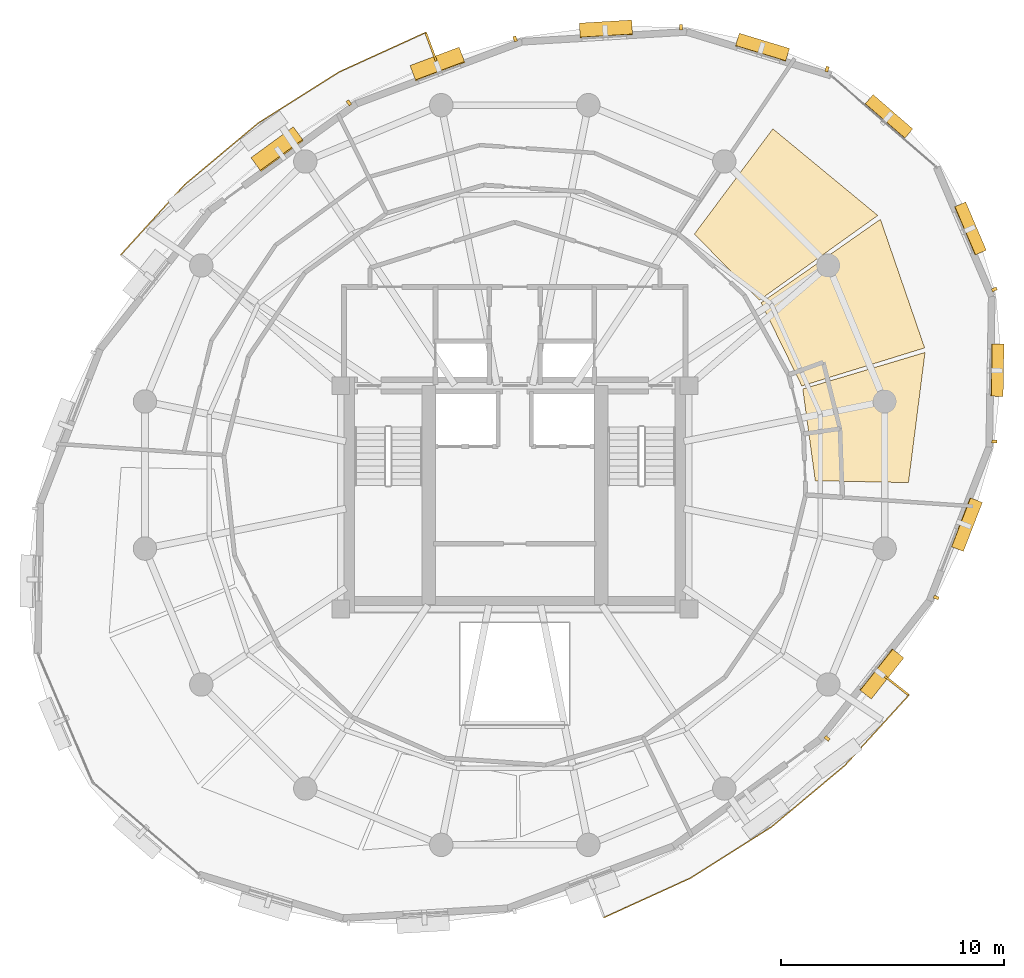
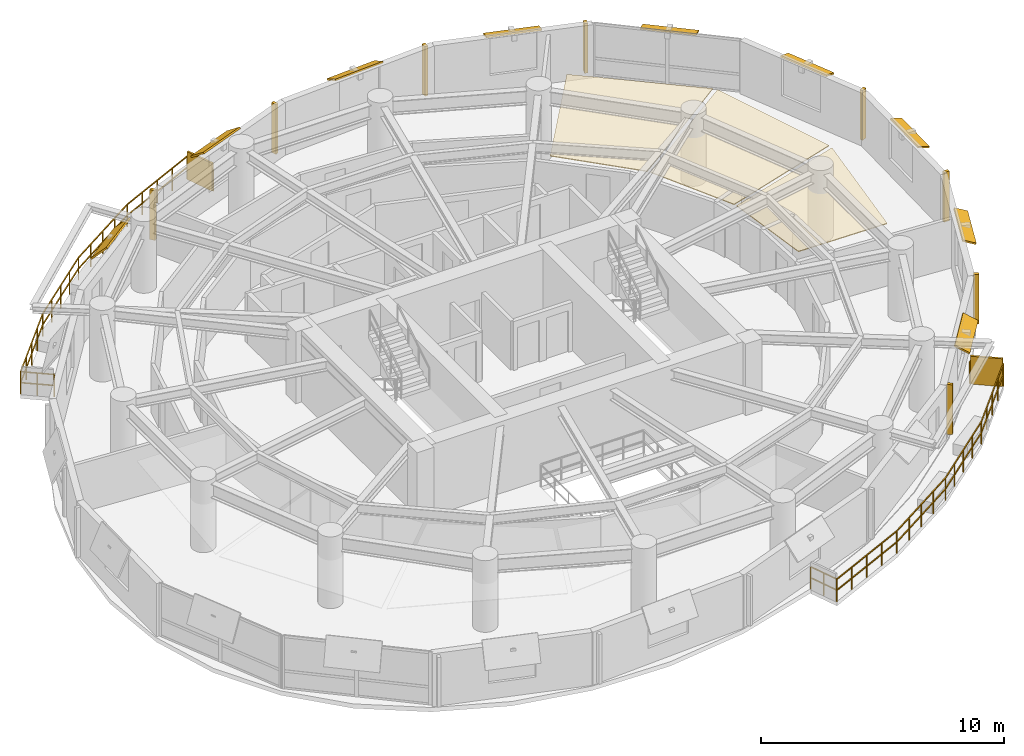
# One storey, part 12 of 12: 19 shading devices, 3 coverings, 2 railings.
"""IFC4 building model written with IfcOpenShell, lengths in metres."""

from ifc_helpers import new_model, si_unit, direction, frame, origin, origin_2d, place, context, subcontext, project, spatial, polyline, rectangle, outline, extrude, material, layer, layer_set, type_object, element, save


model = new_model("IFC4")

# Units and contexts
model_context = context("Model", 3, precision=1e-05, world=origin(), true_north=direction((0.0, 1.0)))
body_context = subcontext(model_context, "Body", "Model", "MODEL_VIEW")
ifc_project = project(units=[si_unit("LENGTHUNIT", "METRE"), si_unit("AREAUNIT", "SQUARE_METRE"), si_unit("VOLUMEUNIT", "CUBIC_METRE"), si_unit("PLANEANGLEUNIT", "RADIAN"), si_unit("MASSUNIT", "GRAM", prefix="KILO"), si_unit("THERMODYNAMICTEMPERATUREUNIT", "KELVIN"), si_unit("POWERUNIT", "WATT")], contexts=[model_context])

# Site, building, storey
site_placement = place(None, origin())
site = spatial("IfcSite", under=ifc_project, at=site_placement, CompositionType="ELEMENT")
building_placement = place(site_placement, origin())
building = spatial("IfcBuilding", under=site, at=building_placement, Name="Ocrelia Relay Tower", CompositionType="ELEMENT")
storey_placement = place(building_placement, frame((0.0, 0.0, 184.39990234375)))
storey = spatial("IfcBuildingStorey", under=building, at=storey_placement, Name="L44", CompositionType="ELEMENT", Elevation=184.39990234375)

# Coverings
ifc_material_1 = material(Name="Mineral-fiber acoustic ceiling tile", Category="gypsum")
ifc_layer_1 = layer(ifc_material_1, 0.0400390625, Name="Mineral-fiber acoustic ceiling tile")
ifc_layer_set_1 = layer_set([ifc_layer_1], Name="Mineral-fiber acoustic ceiling tile")
covering_type = type_object("IfcCoveringType", Name="COV-CEIL-ACOUSTIC", PredefinedType="CEILING", material=ifc_layer_set_1)
covering_1_placement = place(storey_placement, frame((0.0, 0.0, 2.380126953125)))
element("IfcCovering", 1, at=covering_1_placement, inside=storey, type_object=covering_type, Name="L44 Technical Reference Library Suspended Ceiling 1", PredefinedType="CEILING", context=body_context, shape_type="SweptSolid", body=[
    extrude(outline(polyline([(47.467529296875, 25.741455078125), (51.644775390625, 25.6611328125), (52.385498046875, 31.49267578125), (46.906494140625, 29.855712890625), (47.467529296875, 25.741455078125)])), origin(), (0.0, 0.0, 1.0), 0.0400390625),
])
covering_2_placement = place(storey_placement, frame((0.0, 0.0, 2.380126953125)))
element("IfcCovering", 2, at=covering_2_placement, inside=storey, type_object=covering_type, Name="L44 Technical Reference Library Suspended Ceiling 2", PredefinedType="CEILING", context=body_context, shape_type="SweptSolid", body=[
    extrude(outline(polyline([(46.865234375, 29.99072265625), (52.36962890625, 31.697998046875), (50.38720703125, 37.460205078125), (45.03857421875, 33.7197265625), (46.865234375, 29.99072265625)])), origin(), (0.0, 0.0, 1.0), 0.0400390625),
])
covering_3_placement = place(storey_placement, frame((0.0, 0.0, 2.380126953125)))
element("IfcCovering", 3, at=covering_3_placement, inside=storey, type_object=covering_type, Name="L44 Technical Reference Library Suspended Ceiling 3", PredefinedType="CEILING", context=body_context, shape_type="SweptSolid", body=[
    extrude(outline(polyline([(44.95703125, 33.834716796875), (50.268310546875, 37.632568359375), (45.565673828125, 41.5166015625), (42.050048828125, 36.7998046875), (44.95703125, 33.834716796875)])), origin(), (0.0, 0.0, 1.0), 0.0400390625),
])

# Railings
ifc_material_2 = material(Name="Steel S355 balustrade", Category="steel")
railing_type = type_object("IfcRailingType", Name="RL-EXT-GUARD-1150", PredefinedType="GUARDRAIL", material=ifc_material_2)
railing_1_placement = place(storey_placement, frame((17.433349609375, 35.00537109375, 0.0)))
element("IfcRailing", 4, at=railing_1_placement, inside=storey, type_object=railing_type, Name="L44 Loggia Balcony Guard Rail B1", PredefinedType="GUARDRAIL", context=body_context, shape_type="SweptSolid", body=[
    extrude(rectangle(XDim=0.048095703125, YDim=0.048095703125, at=origin_2d()), frame((0.0, 0.0, 1.1259765625), z_axis=(-0.785259336587, 0.619167000334, 0.0), x_axis=(-0.619167000334, -0.785259336587, 0.0)), (0.0, 0.0, 1.0), 1.3935546875),
    extrude(rectangle(XDim=0.048095703125, YDim=0.048095703125, at=origin_2d()), frame((0.0, 0.0, 0.574951171875), z_axis=(-0.785259336587, 0.619167000334, 0.0), x_axis=(-0.619167000334, -0.785259336587, 0.0)), (0.0, 0.0, 1.0), 1.3935546875),
    extrude(rectangle(XDim=0.048095703125, YDim=0.048095703125, at=origin_2d()), frame((-1.09423828125, 0.86279296875, 1.1259765625), z_axis=(0.672787076551, 0.739836164043, 0.0), x_axis=(-0.739836164043, 0.672787076551, 0.0)), (0.0, 0.0, 1.0), 2.12646484375),
    extrude(rectangle(XDim=0.048095703125, YDim=0.048095703125, at=origin_2d()), frame((-1.09423828125, 0.86279296875, 0.574951171875), z_axis=(0.672787076551, 0.739836164043, 0.0), x_axis=(-0.739836164043, 0.672787076551, 0.0)), (0.0, 0.0, 1.0), 2.12646484375),
    extrude(rectangle(XDim=0.048095703125, YDim=0.048095703125, at=origin_2d()), frame((0.33642578125, 2.43603515625, 1.1259765625), z_axis=(0.672849911435, 0.739779018817, 0.0), x_axis=(-0.739779018817, 0.672849911435, 0.0)), (0.0, 0.0, 1.0), 2.126708984375),
    extrude(rectangle(XDim=0.048095703125, YDim=0.048095703125, at=origin_2d()), frame((0.33642578125, 2.43603515625, 0.574951171875), z_axis=(0.672849911435, 0.739779018817, 0.0), x_axis=(-0.739779018817, 0.672849911435, 0.0)), (0.0, 0.0, 1.0), 2.126708984375),
    extrude(rectangle(XDim=0.048095703125, YDim=0.048095703125, at=origin_2d()), frame((1.767333984375, 4.00927734375, 1.1259765625), z_axis=(0.766757672993, 0.641936656459, 0.0), x_axis=(-0.641936656459, 0.766757672993, 0.0)), (0.0, 0.0, 1.0), 4.299072265625),
    extrude(rectangle(XDim=0.048095703125, YDim=0.048095703125, at=origin_2d()), frame((1.767333984375, 4.00927734375, 0.574951171875), z_axis=(0.766757672993, 0.641936656459, 0.0), x_axis=(-0.641936656459, 0.766757672993, 0.0)), (0.0, 0.0, 1.0), 4.299072265625),
    extrude(rectangle(XDim=0.048095703125, YDim=0.048095703125, at=origin_2d()), frame((5.063720703125, 6.76904296875, 1.1259765625), z_axis=(0.845596842181, 0.533822049463, 0.0), x_axis=(-0.533822049463, 0.845596842181, 0.0)), (0.0, 0.0, 1.0), 4.299072265625),
    extrude(rectangle(XDim=0.048095703125, YDim=0.048095703125, at=origin_2d()), frame((5.063720703125, 6.76904296875, 0.574951171875), z_axis=(0.845596842181, 0.533822049463, 0.0), x_axis=(-0.533822049463, 0.845596842181, 0.0)), (0.0, 0.0, 1.0), 4.299072265625),
    extrude(rectangle(XDim=0.048095703125, YDim=0.048095703125, at=origin_2d()), frame((8.698974609375, 9.06396484375, 1.1259765625), z_axis=(0.910071366528, 0.414451574766, 0.0), x_axis=(-0.414451574766, 0.910071366528, 0.0)), (0.0, 0.0, 1.0), 2.12646484375),
    extrude(rectangle(XDim=0.048095703125, YDim=0.048095703125, at=origin_2d()), frame((8.698974609375, 9.06396484375, 0.574951171875), z_axis=(0.910071366528, 0.414451574766, 0.0), x_axis=(-0.414451574766, 0.910071366528, 0.0)), (0.0, 0.0, 1.0), 2.12646484375),
    extrude(rectangle(XDim=0.048095703125, YDim=0.048095703125, at=origin_2d()), frame((10.63427734375, 9.9453125, 1.1259765625), z_axis=(0.910028060836, 0.414546654179, 0.0), x_axis=(-0.414546654179, 0.910028060836, 0.0)), (0.0, 0.0, 1.0), 2.126708984375),
    extrude(rectangle(XDim=0.048095703125, YDim=0.048095703125, at=origin_2d()), frame((10.63427734375, 9.9453125, 0.574951171875), z_axis=(0.910028060836, 0.414546654179, 0.0), x_axis=(-0.414546654179, 0.910028060836, 0.0)), (0.0, 0.0, 1.0), 2.126708984375),
    extrude(rectangle(XDim=0.048095703125, YDim=0.048095703125, at=origin_2d()), frame((12.569580078125, 10.826904296875, 1.1259765625), z_axis=(0.349510184502, -0.936932564771, 0.0), x_axis=(0.936932564771, 0.349510184502, 0.0)), (0.0, 0.0, 1.0), 1.3935546875),
    extrude(rectangle(XDim=0.048095703125, YDim=0.048095703125, at=origin_2d()), frame((12.569580078125, 10.826904296875, 0.574951171875), z_axis=(0.349510184502, -0.936932564771, 0.0), x_axis=(0.936932564771, 0.349510184502, 0.0)), (0.0, 0.0, 1.0), 1.3935546875),
    extrude(rectangle(XDim=0.0419921875, YDim=0.0419921875, at=origin_2d()), origin(), (0.0, 0.0, 1.0), 1.101806640625),
    extrude(rectangle(XDim=0.0419921875, YDim=0.0419921875, at=origin_2d()), frame((-0.547119140625, 0.431396484375, 0.0)), (0.0, 0.0, 1.0), 1.101806640625),
    extrude(rectangle(XDim=0.0419921875, YDim=0.0419921875, at=origin_2d()), frame((-1.09423828125, 0.86279296875, 0.0)), (0.0, 0.0, 1.0), 1.101806640625),
    extrude(rectangle(XDim=0.0419921875, YDim=0.0419921875, at=origin_2d()), frame((-0.37890625, 1.6494140625, 0.0)), (0.0, 0.0, 1.0), 1.101806640625),
    extrude(rectangle(XDim=0.0419921875, YDim=0.0419921875, at=origin_2d()), frame((0.33642578125, 2.43603515625, 0.0)), (0.0, 0.0, 1.0), 1.101806640625),
    extrude(rectangle(XDim=0.0419921875, YDim=0.0419921875, at=origin_2d()), frame((1.0517578125, 3.22265625, 0.0)), (0.0, 0.0, 1.0), 1.101806640625),
    extrude(rectangle(XDim=0.0419921875, YDim=0.0419921875, at=origin_2d()), frame((1.767333984375, 4.00927734375, 0.0)), (0.0, 0.0, 1.0), 1.101806640625),
    extrude(rectangle(XDim=0.0419921875, YDim=0.0419921875, at=origin_2d()), frame((2.59130859375, 4.69921875, 0.0)), (0.0, 0.0, 1.0), 1.101806640625),
    extrude(rectangle(XDim=0.0419921875, YDim=0.0419921875, at=origin_2d()), frame((3.41552734375, 5.38916015625, 0.0)), (0.0, 0.0, 1.0), 1.101806640625),
    extrude(rectangle(XDim=0.0419921875, YDim=0.0419921875, at=origin_2d()), frame((4.23974609375, 6.0791015625, 0.0)), (0.0, 0.0, 1.0), 1.101806640625),
    extrude(rectangle(XDim=0.0419921875, YDim=0.0419921875, at=origin_2d()), frame((5.063720703125, 6.76904296875, 0.0)), (0.0, 0.0, 1.0), 1.101806640625),
    extrude(rectangle(XDim=0.0419921875, YDim=0.0419921875, at=origin_2d()), frame((5.97265625, 7.3427734375, 0.0)), (0.0, 0.0, 1.0), 1.101806640625),
    extrude(rectangle(XDim=0.0419921875, YDim=0.0419921875, at=origin_2d()), frame((6.88134765625, 7.91650390625, 0.0)), (0.0, 0.0, 1.0), 1.101806640625),
    extrude(rectangle(XDim=0.0419921875, YDim=0.0419921875, at=origin_2d()), frame((7.7900390625, 8.490234375, 0.0)), (0.0, 0.0, 1.0), 1.101806640625),
    extrude(rectangle(XDim=0.0419921875, YDim=0.0419921875, at=origin_2d()), frame((8.698974609375, 9.06396484375, 0.0)), (0.0, 0.0, 1.0), 1.101806640625),
    extrude(rectangle(XDim=0.0419921875, YDim=0.0419921875, at=origin_2d()), frame((9.66650390625, 9.504638671875, 0.0)), (0.0, 0.0, 1.0), 1.101806640625),
    extrude(rectangle(XDim=0.0419921875, YDim=0.0419921875, at=origin_2d()), frame((10.63427734375, 9.9453125, 0.0)), (0.0, 0.0, 1.0), 1.101806640625),
    extrude(rectangle(XDim=0.0419921875, YDim=0.0419921875, at=origin_2d()), frame((11.60205078125, 10.38623046875, 0.0)), (0.0, 0.0, 1.0), 1.101806640625),
    extrude(rectangle(XDim=0.0419921875, YDim=0.0419921875, at=origin_2d()), frame((12.569580078125, 10.826904296875, 0.0)), (0.0, 0.0, 1.0), 1.101806640625),
    extrude(rectangle(XDim=0.0419921875, YDim=0.0419921875, at=origin_2d()), frame((12.81298828125, 10.174072265625, 0.0)), (0.0, 0.0, 1.0), 1.101806640625),
    extrude(rectangle(XDim=0.0419921875, YDim=0.0419921875, at=origin_2d()), frame((13.056640625, 9.521240234375, 0.0)), (0.0, 0.0, 1.0), 1.101806640625),
])
railing_2_placement = place(storey_placement, frame((50.566650390625, 16.99462890625, 0.0)))
element("IfcRailing", 5, at=railing_2_placement, inside=storey, type_object=railing_type, Name="L44 Loggia Balcony Guard Rail B2", PredefinedType="GUARDRAIL", context=body_context, shape_type="SweptSolid", body=[
    extrude(rectangle(XDim=0.048095703125, YDim=0.048095703125, at=origin_2d()), frame((0.0, 0.0, 1.1259765625), z_axis=(0.785259336587, -0.619167000334, 0.0), x_axis=(0.619167000334, 0.785259336587, 0.0)), (0.0, 0.0, 1.0), 1.3935546875),
    extrude(rectangle(XDim=0.048095703125, YDim=0.048095703125, at=origin_2d()), frame((0.0, 0.0, 0.574951171875), z_axis=(0.785259336587, -0.619167000334, 0.0), x_axis=(0.619167000334, 0.785259336587, 0.0)), (0.0, 0.0, 1.0), 1.3935546875),
    extrude(rectangle(XDim=0.048095703125, YDim=0.048095703125, at=origin_2d()), frame((1.09423828125, -0.86279296875, 1.1259765625), z_axis=(-0.672787076551, -0.739836164043, 0.0), x_axis=(0.739836164043, -0.672787076551, 0.0)), (0.0, 0.0, 1.0), 2.12646484375),
    extrude(rectangle(XDim=0.048095703125, YDim=0.048095703125, at=origin_2d()), frame((1.09423828125, -0.86279296875, 0.574951171875), z_axis=(-0.672787076551, -0.739836164043, 0.0), x_axis=(0.739836164043, -0.672787076551, 0.0)), (0.0, 0.0, 1.0), 2.12646484375),
    extrude(rectangle(XDim=0.048095703125, YDim=0.048095703125, at=origin_2d()), frame((-0.33642578125, -2.43603515625, 1.1259765625), z_axis=(-0.672849911435, -0.739779018817, 0.0), x_axis=(0.739779018817, -0.672849911435, 0.0)), (0.0, 0.0, 1.0), 2.126708984375),
    extrude(rectangle(XDim=0.048095703125, YDim=0.048095703125, at=origin_2d()), frame((-0.33642578125, -2.43603515625, 0.574951171875), z_axis=(-0.672849911435, -0.739779018817, 0.0), x_axis=(0.739779018817, -0.672849911435, 0.0)), (0.0, 0.0, 1.0), 2.126708984375),
    extrude(rectangle(XDim=0.048095703125, YDim=0.048095703125, at=origin_2d()), frame((-1.767333984375, -4.00927734375, 1.1259765625), z_axis=(-0.766757672993, -0.641936656459, 0.0), x_axis=(0.641936656459, -0.766757672993, 0.0)), (0.0, 0.0, 1.0), 4.299072265625),
    extrude(rectangle(XDim=0.048095703125, YDim=0.048095703125, at=origin_2d()), frame((-1.767333984375, -4.00927734375, 0.574951171875), z_axis=(-0.766757672993, -0.641936656459, 0.0), x_axis=(0.641936656459, -0.766757672993, 0.0)), (0.0, 0.0, 1.0), 4.299072265625),
    extrude(rectangle(XDim=0.048095703125, YDim=0.048095703125, at=origin_2d()), frame((-5.063720703125, -6.76904296875, 1.1259765625), z_axis=(-0.845596842181, -0.533822049463, 0.0), x_axis=(0.533822049463, -0.845596842181, 0.0)), (0.0, 0.0, 1.0), 4.299072265625),
    extrude(rectangle(XDim=0.048095703125, YDim=0.048095703125, at=origin_2d()), frame((-5.063720703125, -6.76904296875, 0.574951171875), z_axis=(-0.845596842181, -0.533822049463, 0.0), x_axis=(0.533822049463, -0.845596842181, 0.0)), (0.0, 0.0, 1.0), 4.299072265625),
    extrude(rectangle(XDim=0.048095703125, YDim=0.048095703125, at=origin_2d()), frame((-8.698974609375, -9.06396484375, 1.1259765625), z_axis=(-0.910071366528, -0.414451574766, 0.0), x_axis=(0.414451574766, -0.910071366528, 0.0)), (0.0, 0.0, 1.0), 2.12646484375),
    extrude(rectangle(XDim=0.048095703125, YDim=0.048095703125, at=origin_2d()), frame((-8.698974609375, -9.06396484375, 0.574951171875), z_axis=(-0.910071366528, -0.414451574766, 0.0), x_axis=(0.414451574766, -0.910071366528, 0.0)), (0.0, 0.0, 1.0), 2.12646484375),
    extrude(rectangle(XDim=0.048095703125, YDim=0.048095703125, at=origin_2d()), frame((-10.63427734375, -9.9453125, 1.1259765625), z_axis=(-0.910028060836, -0.414546654179, 0.0), x_axis=(0.414546654179, -0.910028060836, 0.0)), (0.0, 0.0, 1.0), 2.126708984375),
    extrude(rectangle(XDim=0.048095703125, YDim=0.048095703125, at=origin_2d()), frame((-10.63427734375, -9.9453125, 0.574951171875), z_axis=(-0.910028060836, -0.414546654179, 0.0), x_axis=(0.414546654179, -0.910028060836, 0.0)), (0.0, 0.0, 1.0), 2.126708984375),
    extrude(rectangle(XDim=0.048095703125, YDim=0.048095703125, at=origin_2d()), frame((-12.569580078125, -10.826904296875, 1.1259765625), z_axis=(-0.349510184502, 0.936932564771, 0.0), x_axis=(-0.936932564771, -0.349510184502, 0.0)), (0.0, 0.0, 1.0), 1.3935546875),
    extrude(rectangle(XDim=0.048095703125, YDim=0.048095703125, at=origin_2d()), frame((-12.569580078125, -10.826904296875, 0.574951171875), z_axis=(-0.349510184502, 0.936932564771, 0.0), x_axis=(-0.936932564771, -0.349510184502, 0.0)), (0.0, 0.0, 1.0), 1.3935546875),
    extrude(rectangle(XDim=0.0419921875, YDim=0.0419921875, at=origin_2d()), origin(), (0.0, 0.0, 1.0), 1.101806640625),
    extrude(rectangle(XDim=0.0419921875, YDim=0.0419921875, at=origin_2d()), frame((0.547119140625, -0.431396484375, 0.0)), (0.0, 0.0, 1.0), 1.101806640625),
    extrude(rectangle(XDim=0.0419921875, YDim=0.0419921875, at=origin_2d()), frame((1.09423828125, -0.86279296875, 0.0)), (0.0, 0.0, 1.0), 1.101806640625),
    extrude(rectangle(XDim=0.0419921875, YDim=0.0419921875, at=origin_2d()), frame((0.37890625, -1.6494140625, 0.0)), (0.0, 0.0, 1.0), 1.101806640625),
    extrude(rectangle(XDim=0.0419921875, YDim=0.0419921875, at=origin_2d()), frame((-0.33642578125, -2.43603515625, 0.0)), (0.0, 0.0, 1.0), 1.101806640625),
    extrude(rectangle(XDim=0.0419921875, YDim=0.0419921875, at=origin_2d()), frame((-1.0517578125, -3.22265625, 0.0)), (0.0, 0.0, 1.0), 1.101806640625),
    extrude(rectangle(XDim=0.0419921875, YDim=0.0419921875, at=origin_2d()), frame((-1.767333984375, -4.00927734375, 0.0)), (0.0, 0.0, 1.0), 1.101806640625),
    extrude(rectangle(XDim=0.0419921875, YDim=0.0419921875, at=origin_2d()), frame((-2.59130859375, -4.69921875, 0.0)), (0.0, 0.0, 1.0), 1.101806640625),
    extrude(rectangle(XDim=0.0419921875, YDim=0.0419921875, at=origin_2d()), frame((-3.41552734375, -5.38916015625, 0.0)), (0.0, 0.0, 1.0), 1.101806640625),
    extrude(rectangle(XDim=0.0419921875, YDim=0.0419921875, at=origin_2d()), frame((-4.23974609375, -6.0791015625, 0.0)), (0.0, 0.0, 1.0), 1.101806640625),
    extrude(rectangle(XDim=0.0419921875, YDim=0.0419921875, at=origin_2d()), frame((-5.063720703125, -6.76904296875, 0.0)), (0.0, 0.0, 1.0), 1.101806640625),
    extrude(rectangle(XDim=0.0419921875, YDim=0.0419921875, at=origin_2d()), frame((-5.97265625, -7.3427734375, 0.0)), (0.0, 0.0, 1.0), 1.101806640625),
    extrude(rectangle(XDim=0.0419921875, YDim=0.0419921875, at=origin_2d()), frame((-6.88134765625, -7.91650390625, 0.0)), (0.0, 0.0, 1.0), 1.101806640625),
    extrude(rectangle(XDim=0.0419921875, YDim=0.0419921875, at=origin_2d()), frame((-7.7900390625, -8.490234375, 0.0)), (0.0, 0.0, 1.0), 1.101806640625),
    extrude(rectangle(XDim=0.0419921875, YDim=0.0419921875, at=origin_2d()), frame((-8.698974609375, -9.06396484375, 0.0)), (0.0, 0.0, 1.0), 1.101806640625),
    extrude(rectangle(XDim=0.0419921875, YDim=0.0419921875, at=origin_2d()), frame((-9.66650390625, -9.504638671875, 0.0)), (0.0, 0.0, 1.0), 1.101806640625),
    extrude(rectangle(XDim=0.0419921875, YDim=0.0419921875, at=origin_2d()), frame((-10.63427734375, -9.9453125, 0.0)), (0.0, 0.0, 1.0), 1.101806640625),
    extrude(rectangle(XDim=0.0419921875, YDim=0.0419921875, at=origin_2d()), frame((-11.60205078125, -10.38623046875, 0.0)), (0.0, 0.0, 1.0), 1.101806640625),
    extrude(rectangle(XDim=0.0419921875, YDim=0.0419921875, at=origin_2d()), frame((-12.569580078125, -10.826904296875, 0.0)), (0.0, 0.0, 1.0), 1.101806640625),
    extrude(rectangle(XDim=0.0419921875, YDim=0.0419921875, at=origin_2d()), frame((-12.81298828125, -10.174072265625, 0.0)), (0.0, 0.0, 1.0), 1.101806640625),
    extrude(rectangle(XDim=0.0419921875, YDim=0.0419921875, at=origin_2d()), frame((-13.056640625, -9.521240234375, 0.0)), (0.0, 0.0, 1.0), 1.101806640625),
])

# Shading devices
ifc_material_3 = material(Name="Perforated oxide terracotta solar screen", Category="masonry")
ifc_layer_2 = layer(ifc_material_3, 0.090087890625, Name="Perforated oxide terracotta solar screen")
ifc_layer_set_2 = layer_set([ifc_layer_2], Name="Perforated oxide terracotta solar screen")
shading_device_type_1 = type_object("IfcShadingDeviceType", Name="SH-BALC-SCREEN", PredefinedType="USERDEFINED", material=ifc_layer_set_2)
for number, where, z_axis, x_axis, name in (
    (6, (30.24658203125, 45.179443359375, 0.000244140625), (0.0, 0.0, 1.0), (-0.349487096544, 0.936941177102, 0.0), "L44 Balcony Perforated Terracotta Screen B1-1"),
    (7, (51.11376953125, 16.563232421875, 0.000244140625), (0.0, 0.0, 1.0), (0.785273862347, -0.619148577577, 0.0), "L44 Balcony Perforated Terracotta Screen B2-2"),
):
    element("IfcShadingDevice", number, at=place(storey_placement, frame(where, z_axis=z_axis, x_axis=x_axis)), inside=storey, type_object=shading_device_type_1, Name=name, ObjectType="SCREEN", PredefinedType="USERDEFINED", context=body_context, shape_type="SweptSolid", body=[
        extrude(rectangle(XDim=1.340087890625, YDim=0.090087890625, at=origin_2d()), origin(), (0.0, 0.0, 1.0), 1.39990234375),
    ])
ifc_material_4 = material(Name="Extruded oxide terracotta vertical baguette", Category="masonry")
shading_device_type_2 = type_object("IfcShadingDeviceType", Name="SH-TERR-BAGUETTE", PredefinedType="USERDEFINED", material=ifc_material_4)
for number, where, z_axis, x_axis, name in (
    (8, (47.99658203125, 44.192138671875, 0.080078125), (0.0, 0.0, 1.0), (-0.957034753041, 0.289973242683, 0.0), "L44 Oxide Terracotta Vertical Baguette 02"),
    (9, (41.451171875, 46.073486328125, 0.080078125), (0.0, 0.0, 1.0), (-0.998234382857, -0.059397953524, 0.0), "L44 Oxide Terracotta Vertical Baguette 03"),
    (10, (34.014404296875, 45.550048828125, 0.080078125), (0.0, 0.0, 1.0), (-0.936417280816, -0.350888409881, 0.0), "L44 Oxide Terracotta Vertical Baguette 04"),
    (11, (26.5673828125, 42.681884765625, 0.080078125), (0.0, 0.0, 1.0), (-0.807991542672, -0.5891940826, 0.0), "L44 Oxide Terracotta Vertical Baguette 05"),
    (12, (47.998779296875, 14.1962890625, 0.080078125), (0.0, 0.0, 1.0), (0.620347134048, 0.784327376341, 0.0), "L44 Oxide Terracotta Vertical Baguette 15"),
    (13, (52.88818359375, 20.5087890625, 0.080078125), (0.0, 0.0, 1.0), (0.361700518189, 0.932294339327, 0.0), "L44 Oxide Terracotta Vertical Baguette 16"),
    (14, (55.49658203125, 27.501220703125, 0.080078125), (0.0, 0.0, 1.0), (0.016471423596, 0.9998643369, 0.0), "L44 Oxide Terracotta Vertical Baguette 17"),
    (15, (55.4912109375, 34.320068359375, 0.080078125), (0.0, 0.0, 1.0), (-0.392651069891, 0.91968752156, 0.0), "L44 Oxide Terracotta Vertical Baguette 18"),
):
    element("IfcShadingDevice", number, at=place(storey_placement, frame(where, z_axis=z_axis, x_axis=x_axis)), inside=storey, type_object=shading_device_type_2, Name=name, ObjectType="BAGUETTE", PredefinedType="USERDEFINED", context=body_context, shape_type="SweptSolid", body=[
        extrude(rectangle(XDim=0.139892578125, YDim=0.239990234375, at=origin_2d()), origin(), (0.0, 0.0, 1.0), 2.5),
    ])
ifc_material_5 = material(Name="Extruded oxide terracotta fin", Category="masonry")
ifc_layer_3 = layer(ifc_material_5, 0.080078125, Name="Extruded oxide terracotta fin")
ifc_layer_set_3 = layer_set([ifc_layer_3], Name="Extruded oxide terracotta fin")
shading_device_type_3 = type_object("IfcShadingDeviceType", Name="SH-VISOR-FIN-MED", PredefinedType="USERDEFINED", material=ifc_layer_set_3)
shading_device_1_placement = place(storey_placement, frame((30.54296875, 44.397705078125, 2.467529296875), z_axis=(-0.206494681361, 0.551073169071, 0.808503746992), x_axis=(-0.936417280816, -0.350888409881, 0.0)))
element("IfcShadingDevice", 16, at=shading_device_1_placement, inside=storey, type_object=shading_device_type_3, Name="L44 Canted Terracotta Sun-Visor Fin 04", ObjectType="FIN", PredefinedType="USERDEFINED", context=body_context, shape_type="SweptSolid", body=[
    extrude(rectangle(XDim=2.35009765625, YDim=0.85107421875, at=origin_2d()), origin(), (0.0, 0.0, 1.0), 0.080078125),
])
shading_device_2_placement = place(storey_placement, frame((23.366943359375, 40.58154296875, 2.472412109375), z_axis=(-0.428234782213, 0.587259941205, 0.686833846544), x_axis=(-0.807991542672, -0.5891940826, 0.0)))
element("IfcShadingDevice", 17, at=shading_device_2_placement, inside=storey, type_object=shading_device_type_3, Name="L44 Canted Terracotta Sun-Visor Fin 05", ObjectType="FIN", PredefinedType="USERDEFINED", context=body_context, shape_type="SweptSolid", body=[
    extrude(rectangle(XDim=2.35009765625, YDim=1.027099609375, at=origin_2d()), origin(), (0.0, 0.0, 1.0), 0.080078125),
])
ifc_layer_4 = layer(ifc_material_5, 0.080078125, Name="Extruded oxide terracotta fin")
ifc_layer_set_4 = layer_set([ifc_layer_4], Name="Extruded oxide terracotta fin")
shading_device_type_4 = type_object("IfcShadingDeviceType", Name="SH-VISOR-FIN-SHAL", PredefinedType="USERDEFINED", material=ifc_layer_set_4)
shading_device_3_placement = place(storey_placement, frame((50.755615234375, 42.05615234375, 2.462158203125), z_axis=(0.216271798478, 0.249496679648, 0.943916265369), x_axis=(-0.755627109499, 0.655002039226, 0.0)))
element("IfcShadingDevice", 18, at=shading_device_3_placement, inside=storey, type_object=shading_device_type_4, Name="L44 Canted Terracotta Sun-Visor Fin 01", ObjectType="FIN", PredefinedType="USERDEFINED", context=body_context, shape_type="SweptSolid", body=[
    extrude(rectangle(XDim=2.35009765625, YDim=0.571044921875, at=origin_2d()), origin(), (0.0, 0.0, 1.0), 0.080078125),
])
shading_device_4_placement = place(storey_placement, frame((45.094970703125, 45.15478515625, 2.462890625), z_axis=(0.110125775832, 0.363461792893, 0.925077206834), x_axis=(-0.957034753041, 0.289973242683, 0.0)))
element("IfcShadingDevice", 19, at=shading_device_4_placement, inside=storey, type_object=shading_device_type_4, Name="L44 Canted Terracotta Sun-Visor Fin 02", ObjectType="FIN", PredefinedType="USERDEFINED", context=body_context, shape_type="SweptSolid", body=[
    extrude(rectangle(XDim=2.35009765625, YDim=0.6220703125, at=origin_2d()), origin(), (0.0, 0.0, 1.0), 0.080078125),
])
for number, where, z_axis, x_axis, name in (
    (20, (38.085205078125, 45.97216796875, 2.464599609375), (-0.027619844593, 0.46417556307, 0.885312482028), (-0.998234382857, -0.059397953524, 0.0), "L44 Canted Terracotta Sun-Visor Fin 03"),
    (21, (50.429443359375, 17.099853515625, 2.464599609375), (0.364709538958, -0.288459288911, 0.885312482028), (0.620347134048, 0.784327376341, 0.0), "L44 Canted Terracotta Sun-Visor Fin 15"),
):
    element("IfcShadingDevice", number, at=place(storey_placement, frame(where, z_axis=z_axis, x_axis=x_axis)), inside=storey, type_object=shading_device_type_4, Name=name, ObjectType="FIN", PredefinedType="USERDEFINED", context=body_context, shape_type="SweptSolid", body=[
        extrude(rectangle(XDim=2.35009765625, YDim=0.7119140625, at=origin_2d()), origin(), (0.0, 0.0, 1.0), 0.080078125),
    ])
shading_device_5_placement = place(storey_placement, frame((54.239501953125, 23.7861328125, 2.462646484375), z_axis=(0.341384210463, -0.13244620354, 0.930545444358), x_axis=(0.361700518189, 0.932294339327, 0.0)))
element("IfcShadingDevice", 22, at=shading_device_5_placement, inside=storey, type_object=shading_device_type_4, Name="L44 Canted Terracotta Sun-Visor Fin 16", ObjectType="FIN", PredefinedType="USERDEFINED", context=body_context, shape_type="SweptSolid", body=[
    extrude(rectangle(XDim=2.35009765625, YDim=0.60791015625, at=origin_2d()), origin(), (0.0, 0.0, 1.0), 0.080078125),
])
shading_device_6_placement = place(storey_placement, frame((55.615234375, 30.70458984375, 2.462158203125), z_axis=(0.318750639081, -0.005250989163, 0.947824064475), x_axis=(0.016471423596, 0.9998643369, 0.0)))
element("IfcShadingDevice", 23, at=shading_device_6_placement, inside=storey, type_object=shading_device_type_4, Name="L44 Canted Terracotta Sun-Visor Fin 17", ObjectType="FIN", PredefinedType="USERDEFINED", context=body_context, shape_type="SweptSolid", body=[
    extrude(rectangle(XDim=2.35009765625, YDim=0.56005859375, at=origin_2d()), origin(), (0.0, 0.0, 1.0), 0.080078125),
])
shading_device_7_placement = place(storey_placement, frame((54.405517578125, 37.042724609375, 2.4619140625), z_axis=(0.284809642582, 0.121596529532, 0.950840549986), x_axis=(-0.392651069891, 0.91968752156, 0.0)))
element("IfcShadingDevice", 24, at=shading_device_7_placement, inside=storey, type_object=shading_device_type_4, Name="L44 Canted Terracotta Sun-Visor Fin 18", ObjectType="FIN", PredefinedType="USERDEFINED", context=body_context, shape_type="SweptSolid", body=[
    extrude(rectangle(XDim=2.35009765625, YDim=0.551025390625, at=origin_2d()), origin(), (0.0, 0.0, 1.0), 0.080078125),
])

save(model, "model.ifc")
